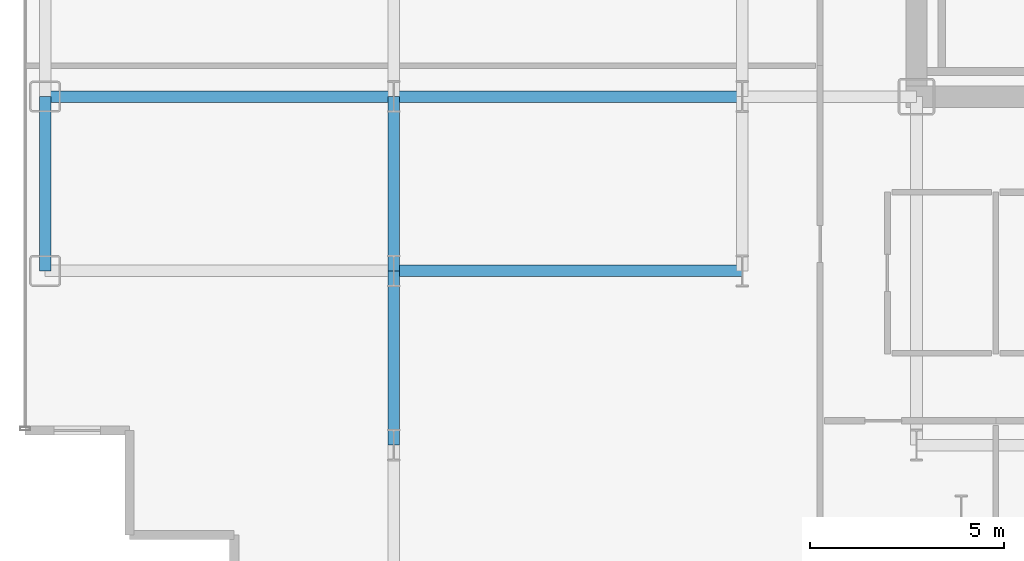
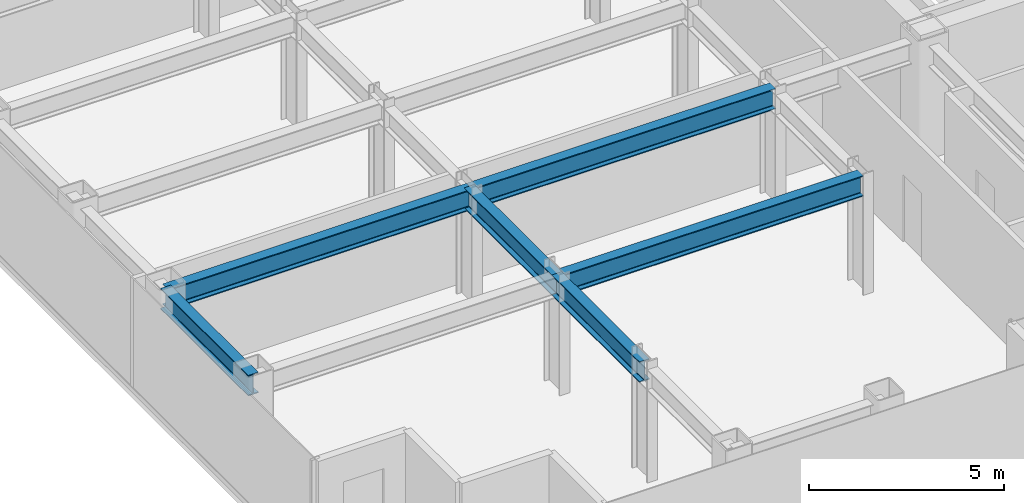
# One storey, part 4 of 23: 6 beams.
"""IFC4 building model written with IfcOpenShell, lengths in metres."""

from ifc_helpers import new_model, si_unit, direction, frame, origin, origin_2d, place, context, subcontext, project, spatial, i_section, extrude, source, transform, mapped, material, material_profile, profile_set, type_object, element, save


model = new_model("IFC4")

# Units and contexts
model_context = context("Model", 3, precision=1e-05, world=origin(), true_north=direction((0.0, 1.0)))
body_context = subcontext(model_context, "Body", "Model", "MODEL_VIEW")
ifc_project = project(units=[si_unit("LENGTHUNIT", "METRE"), si_unit("AREAUNIT", "SQUARE_METRE"), si_unit("VOLUMEUNIT", "CUBIC_METRE"), si_unit("PLANEANGLEUNIT", "RADIAN"), si_unit("MASSUNIT", "GRAM", prefix="KILO")], contexts=[model_context])

# Site, building, storey
site_placement = place(None, origin())
site = spatial("IfcSite", under=ifc_project, at=site_placement, CompositionType="ELEMENT")
building_placement = place(site_placement, origin())
building = spatial("IfcBuilding", under=site, at=building_placement, Name="Nefas-Gora Pilgrimage Tower", CompositionType="ELEMENT")
storey_placement = place(building_placement, frame((0.0, 0.0, 156.39990234375)))
storey = spatial("IfcBuildingStorey", under=building, at=storey_placement, Name="L38", CompositionType="ELEMENT", Elevation=156.39990234375)

# Beams
ifc_material = material(Name="Steel S355", Category="steel")
ifc_material_profile_1 = material_profile(ifc_material, i_section(OverallWidth=0.300048828125, OverallDepth=0.64990234375, WebThickness=0.01611328125, FlangeThickness=0.031005859375, FilletRadius=0.027099609375, at=origin_2d()), Name="HEB 650")
ifc_profile_set_1 = profile_set([ifc_material_profile_1], Name="Steel S355")
beam_type_1 = type_object("IfcBeamType", Name="BM-SPN-HEB500", PredefinedType="SPANDREL", material=ifc_profile_set_1)
shared_shape_1 = source(origin(), body_context, "Body", "SweptSolid", [
    extrude(i_section(OverallWidth=0.300048828125, OverallDepth=0.64990234375, WebThickness=0.01611328125, FlangeThickness=0.031005859375, FilletRadius=0.027099609375, at=origin_2d()), origin(), (0.0, 0.0, 1.0), 4.5),
])
beam_placement = place(storey_placement, frame((-33.75, -13.5, 3.22509765625), z_axis=(0.0, 1.0, 0.0), x_axis=(-1.0, 0.0, 0.0)))
element("IfcBeam", 1, at=beam_placement, inside=storey, type_object=beam_type_1, Name="L38 SP-02 beam", PredefinedType="SPANDREL", context=body_context, shape_type="MappedRepresentation", body=[
    mapped(shared_shape_1, transform((0.0, 0.0, 0.0), x_axis=(1.0, 0.0, 0.0), y_axis=(0.0, 1.0, 0.0), z_axis=(0.0, 0.0, 1.0), scale=1.0)),
])
ifc_material_profile_2 = material_profile(ifc_material, i_section(OverallWidth=0.300048828125, OverallDepth=0.64990234375, WebThickness=0.01611328125, FlangeThickness=0.031005859375, FilletRadius=0.027099609375, at=origin_2d()), Name="HEB 650")
ifc_profile_set_2 = profile_set([ifc_material_profile_2], Name="Steel S355")
beam_type_2 = type_object("IfcBeamType", Name="BM-GIR-HEB650", PredefinedType="BEAM", material=ifc_profile_set_2)
shared_shape_2 = source(origin(), body_context, "Body", "SweptSolid", [
    extrude(i_section(OverallWidth=0.300048828125, OverallDepth=0.64990234375, WebThickness=0.01611328125, FlangeThickness=0.031005859375, FilletRadius=0.027099609375, at=origin_2d()), origin(), (0.0, 0.0, 1.0), 9.0),
])
for number, where, z_axis, x_axis, name in (
    (2, (-33.75, -9.0, 3.22509765625), (1.0, 0.0, 0.0), (0.0, 1.0, 0.0), "L38 G-03 beam"),
    (3, (-24.75, -13.5, 3.22509765625), (1.0, 0.0, 0.0), (0.0, 1.0, 0.0), "L38 G-03 beam"),
    (4, (-24.75, -9.0, 3.22509765625), (1.0, 0.0, 0.0), (0.0, 1.0, 0.0), "L38 G-03 beam"),
):
    element("IfcBeam", number, at=place(storey_placement, frame(where, z_axis=z_axis, x_axis=x_axis)), inside=storey, type_object=beam_type_2, Name=name, PredefinedType="BEAM", context=body_context, shape_type="MappedRepresentation", body=[
        mapped(shared_shape_2, transform((0.0, 0.0, 0.0), x_axis=(1.0, 0.0, 0.0), y_axis=(0.0, 1.0, 0.0), z_axis=(0.0, 0.0, 1.0), scale=1.0)),
    ])
shared_shape_3 = source(origin(), body_context, "Body", "SweptSolid", [
    extrude(i_section(OverallWidth=0.300048828125, OverallDepth=0.64990234375, WebThickness=0.01611328125, FlangeThickness=0.031005859375, FilletRadius=0.027099609375, at=origin_2d()), origin(), (0.0, 0.0, 1.0), 4.5),
])
for number, where, z_axis, x_axis, name in (
    (5, (-24.75, -18.0, 3.22509765625), (0.0, 1.0, 0.0), (-1.0, 0.0, 0.0), "L38 G-03 beam"),
    (6, (-24.75, -13.5, 3.22509765625), (0.0, 1.0, 0.0), (-1.0, 0.0, 0.0), "L38 G-03 beam"),
):
    element("IfcBeam", number, at=place(storey_placement, frame(where, z_axis=z_axis, x_axis=x_axis)), inside=storey, type_object=beam_type_2, Name=name, PredefinedType="BEAM", context=body_context, shape_type="MappedRepresentation", body=[
        mapped(shared_shape_3, transform((0.0, 0.0, 0.0), x_axis=(1.0, 0.0, 0.0), y_axis=(0.0, 1.0, 0.0), z_axis=(0.0, 0.0, 1.0), scale=1.0)),
    ])

save(model, "model.ifc")
